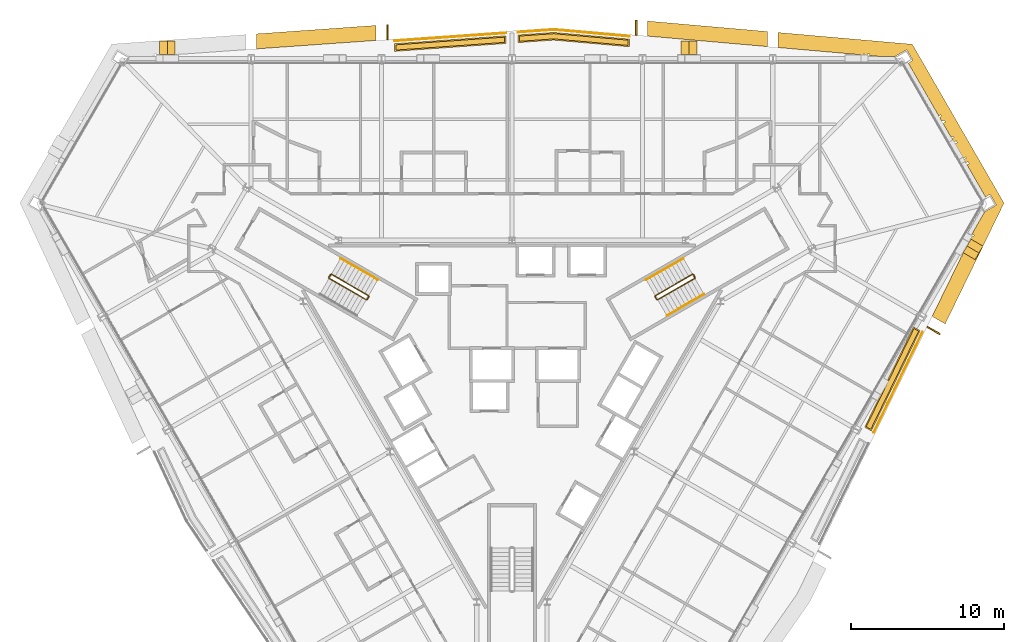
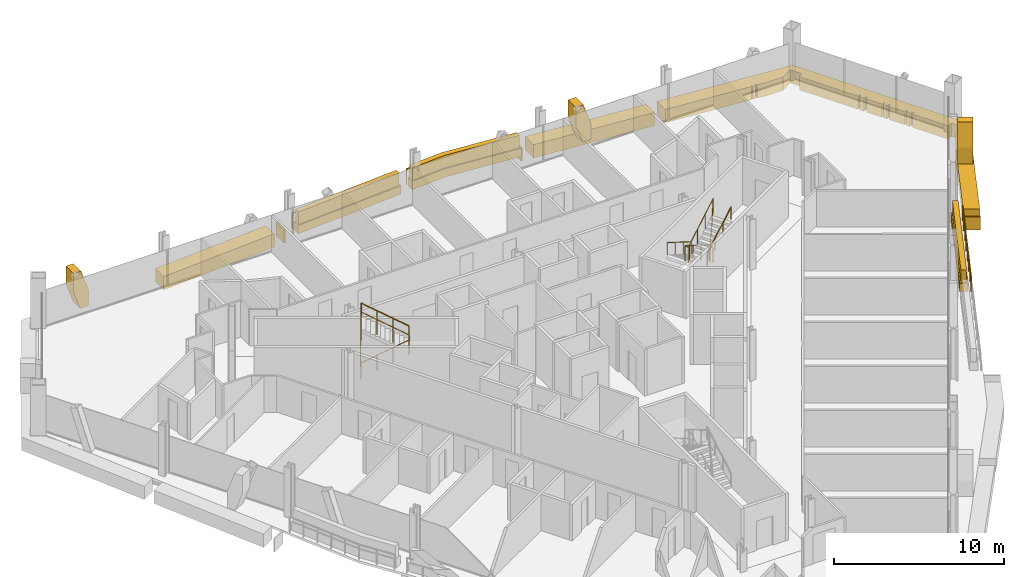
# One storey, part 17 of 17: 15 coverings, 8 railings.
"""IFC4 building model written with IfcOpenShell, lengths in metres."""

import ifcopenshell
import ifcopenshell.guid

model = None  # the IFC model being written
_history = None  # IfcOwnerHistory: only IFC2X3 demands one
_inside = {}  # id of a spatial element -> (the spatial element, [elements in it])
_under = {}  # id of a project, library or spatial element -> (it, [spatial elements below it])
_declared = {}  # id of a project -> (the project, [libraries it declares])
_typed = {}  # id of a type object -> (the type object, [elements of that type])
_made_of = {}  # id of a material, layer set ... -> (it, [elements and type objects made of it])


def new_model(schema):
    """Start an empty IFC model of exactly this schema.

    Asked for "IFC4X3", IfcOpenShell would pick the latest addendum, in which some entities
    have other attributes; the version numbers below select the first issue.
    IFC2X3 requires an IfcOwnerHistory on every rooted entity: one is made here for all.
    """
    global model, _history
    if schema == "IFC4X3":
        model = ifcopenshell.file(schema_version=(4, 3, 0, 0))
    else:
        model = ifcopenshell.file(schema=schema)
    _inside.clear()
    _under.clear()
    _declared.clear()
    _typed.clear()
    _made_of.clear()
    _history = None
    if model.schema == "IFC2X3":
        org = make("IfcOrganization", Name="unknown")
        user = make(
            "IfcPersonAndOrganization",
            ThePerson=make("IfcPerson", FamilyName="unknown"),
            TheOrganization=org,
        )
        app = make(
            "IfcApplication",
            ApplicationDeveloper=org,
            Version="unknown",
            ApplicationFullName="unknown",
            ApplicationIdentifier="unknown",
        )
        _history = make(
            "IfcOwnerHistory",
            OwningUser=user,
            OwningApplication=app,
            ChangeAction="ADDED",
            CreationDate=0,
        )
    return model


def make(cls, **values):
    """One entity of the class cls with the attributes given. An attribute that is None is left unset."""
    return model.create_entity(
        cls, **{name: value for name, value in values.items() if value is not None}
    )


def rooted(cls, **values):
    """An entity with a GlobalId (a new one), such as an element, a storey or a relation."""
    return make(cls, GlobalId=ifcopenshell.guid.new(), OwnerHistory=_history, **values)


def si_unit(unit_type, name, prefix=None):
    """IfcSIUnit, for example si_unit("LENGTHUNIT", "METRE", prefix="MILLI")."""
    return make("IfcSIUnit", UnitType=unit_type, Prefix=prefix, Name=name)


def assignment(units):
    """IfcUnitAssignment: the units of a project."""
    return None if units is None else make("IfcUnitAssignment", Units=units)


def point(xyz):
    """IfcCartesianPoint."""
    return None if xyz is None else make("IfcCartesianPoint", Coordinates=xyz)


def direction(xyz):
    """IfcDirection."""
    return None if xyz is None else make("IfcDirection", DirectionRatios=xyz)


def frame(location, z_axis=None, x_axis=None):
    """IfcAxis2Placement3D, a coordinate frame: its origin and axes. An axis left out is left unset."""
    return make(
        "IfcAxis2Placement3D",
        Location=point(location),
        Axis=direction(z_axis),
        RefDirection=direction(x_axis),
    )


def frame_2d(location, x_axis=None):
    """IfcAxis2Placement2D, a coordinate frame in the plane: its origin and x axis."""
    return make(
        "IfcAxis2Placement2D", Location=point(location), RefDirection=direction(x_axis)
    )


def origin():
    """The frame at (0, 0, 0) with its axes left unset."""
    return frame((0.0, 0.0, 0.0))


def origin_2d():
    """The frame at (0, 0) in the plane with its x axis left unset."""
    return frame_2d((0.0, 0.0))


def place(relative_to, where):
    """IfcLocalPlacement: puts the frame where relative to a parent placement (None: the world)."""
    return make(
        "IfcLocalPlacement", PlacementRelTo=relative_to, RelativePlacement=where
    )


def context(
    kind, dimensions, precision=None, world=None, true_north=None, identifier=None
):
    """IfcGeometricRepresentationContext, for example the 3D "Model" context."""
    return make(
        "IfcGeometricRepresentationContext",
        ContextIdentifier=identifier,
        ContextType=kind,
        CoordinateSpaceDimension=dimensions,
        Precision=precision,
        WorldCoordinateSystem=world,
        TrueNorth=true_north,
    )


def subcontext(parent, identifier, kind, view, scale=None):
    """IfcGeometricRepresentationSubContext, for example "Body" below "Model"."""
    return make(
        "IfcGeometricRepresentationSubContext",
        ContextIdentifier=identifier,
        ContextType=kind,
        ParentContext=parent,
        TargetScale=scale,
        TargetView=view,
    )


def project(units=None, contexts=None):
    """IfcProject with its units and contexts."""
    return rooted(
        "IfcProject",
        Name="project",
        RepresentationContexts=contexts,
        UnitsInContext=assignment(units),
    )


def spatial(cls, under=None, at=None, **own):
    """A site, building, storey or space (cls), placed at a placement, below another one or the project."""
    s = rooted(cls, ObjectPlacement=at, **own)
    if under is not None:
        _under.setdefault(under.id(), (under, []))[1].append(s)
    return s


def polyline(points):
    """IfcPolyline through the points."""
    return make("IfcPolyline", Points=[point(p) for p in points])


def profile(cls, at=None, kind="AREA", **sizes):
    """A parametric profile (cls). Its sizes go by their IFC names, for example OverallWidth=200.0."""
    return make(cls, ProfileType=kind, Position=at, **sizes)


def circle(**sizes):
    """IfcCircleProfileDef."""
    return profile("IfcCircleProfileDef", **sizes)


def outline(outer, holes=None, kind="AREA"):
    """IfcArbitraryClosedProfileDef: a profile drawn as a closed curve; with holes, ...WithVoids."""
    if holes is None:
        return make("IfcArbitraryClosedProfileDef", ProfileType=kind, OuterCurve=outer)
    return make(
        "IfcArbitraryProfileDefWithVoids",
        ProfileType=kind,
        OuterCurve=outer,
        InnerCurves=holes,
    )


def extrude(swept, where, along, depth):
    """IfcExtrudedAreaSolid: the profile swept, set in the frame where, extruded along a direction by depth."""
    return make(
        "IfcExtrudedAreaSolid",
        SweptArea=swept,
        Position=where,
        ExtrudedDirection=direction(along),
        Depth=depth,
    )


def shape(context_of_items, identifier, shape_type, items):
    """IfcShapeRepresentation: the items that make up one representation, for example the "Body"."""
    return make(
        "IfcShapeRepresentation",
        ContextOfItems=context_of_items,
        RepresentationIdentifier=identifier,
        RepresentationType=shape_type,
        Items=items,
    )


def material(Name=None, Category=None):
    """IfcMaterial."""
    return make("IfcMaterial", Name=Name, Category=Category)


def layer(
    of_material, thickness, ventilated=None, Name=None, Category=None, Priority=None
):
    """IfcMaterialLayer: one layer of a wall or slab, of a material (None: an air gap)."""
    return make(
        "IfcMaterialLayer",
        Material=of_material,
        LayerThickness=thickness,
        IsVentilated=ventilated,
        Name=Name,
        Category=Category,
        Priority=Priority,
    )


def layer_set(layers, Name=None):
    """IfcMaterialLayerSet."""
    return make("IfcMaterialLayerSet", MaterialLayers=layers, LayerSetName=Name)


def made_of(thing, what):
    """Note that an element or type object is made of a material, layer set ...; save() writes the relation."""
    if what is not None:
        _made_of.setdefault(what.id(), (what, []))[1].append(thing)
    return thing


def type_object(cls, material=None, **own):
    """A type object (cls), such as IfcWallType, which elements share."""
    return made_of(rooted(cls, **own), material)


def element(
    cls,
    number,
    at=None,
    inside=None,
    cuts=None,
    type_object=None,
    material=None,
    context=None,
    identifier="Body",
    shape_type=None,
    held_by="IfcProductDefinitionShape",
    body=None,
    shapes=None,
    **own,
):
    """One element of the class cls, such as IfcWall. Its Tag is "e" and its number.

    at: its placement. inside: the storey or other place that contains it. cuts: it is an
    opening in that element (IfcRelVoidsElement). A single representation is given by context,
    identifier, shape_type and body (its items); several are given by shapes. held_by: the class
    of the entity that holds the representations. save() writes the other relations.
    """
    e = rooted(cls, Tag="e%d" % number, ObjectPlacement=at, **own)
    if body is not None:
        shapes = [shape(context, identifier, shape_type, body)]
    if shapes is not None:
        e.Representation = make(held_by, Representations=shapes)
    if inside is not None:
        _inside.setdefault(inside.id(), (inside, []))[1].append(e)
    if cuts is not None:
        rooted(
            "IfcRelVoidsElement", RelatingBuildingElement=cuts, RelatedOpeningElement=e
        )
    if type_object is not None:
        _typed.setdefault(type_object.id(), (type_object, []))[1].append(e)
    return made_of(e, material)


def aggregate(whole, parts):
    """IfcRelAggregates: a whole, such as a stair, and the parts it consists of."""
    return rooted("IfcRelAggregates", RelatingObject=whole, RelatedObjects=parts)


def save(model, path):
    """Write the relations noted so far, then the file.

    IfcRelAggregates (storeys below a building ...), IfcRelContainedInSpatialStructure (elements
    in a storey), IfcRelDefinesByType, IfcRelAssociatesMaterial and IfcRelDeclares: one each for
    every whole, place, type object, material and project.
    """
    for whole, parts in _under.values():
        aggregate(whole, parts)
    for where, things in _inside.values():
        rooted(
            "IfcRelContainedInSpatialStructure",
            RelatedElements=things,
            RelatingStructure=where,
        )
    for kind, things in _typed.values():
        rooted("IfcRelDefinesByType", RelatedObjects=things, RelatingType=kind)
    for what, things in _made_of.values():
        rooted("IfcRelAssociatesMaterial", RelatedObjects=things, RelatingMaterial=what)
    for by, libraries in _declared.values():
        rooted("IfcRelDeclares", RelatingContext=by, RelatedDefinitions=libraries)
    model.write(path)


model = new_model("IFC4")

# Units and contexts
model_context = context("Model", 3, precision=1e-05, world=origin(), true_north=direction((0.0, 1.0)))
body_context = subcontext(model_context, "Body", "Model", "MODEL_VIEW")
ifc_project = project(units=[si_unit("LENGTHUNIT", "METRE"), si_unit("AREAUNIT", "SQUARE_METRE"), si_unit("VOLUMEUNIT", "CUBIC_METRE"), si_unit("PLANEANGLEUNIT", "RADIAN"), si_unit("MASSUNIT", "GRAM", prefix="KILO")], contexts=[model_context])

# Site, building, storey
site_placement = place(None, origin())
site = spatial("IfcSite", under=ifc_project, at=site_placement, CompositionType="ELEMENT")
building_placement = place(site_placement, origin())
building = spatial("IfcBuilding", under=site, at=building_placement, Name="Verrane Prism Tower", CompositionType="ELEMENT")
storey_placement = place(building_placement, frame((0.0, 0.0, 51.199951171875)))
storey = spatial("IfcBuildingStorey", under=building, at=storey_placement, Name="L10", CompositionType="ELEMENT", Elevation=51.199951171875)

# Coverings
ifc_material_1 = material(Name="Planting medium in stone kerb", Category="masonry")
covering_type_1 = type_object("IfcCoveringType", Name="Planter bed 600", PredefinedType="USERDEFINED", material=ifc_material_1)
covering_1_placement = place(storey_placement, origin())
element("IfcCovering", 1, at=covering_1_placement, inside=storey, type_object=covering_type_1, Name="Loggia planter N3 L10", ObjectType="PLANTER", PredefinedType="USERDEFINED", context=body_context, shape_type="SweptSolid", body=[
    extrude(outline(polyline([(7.666015625, 22.3369140625), (2.723388671875, 22.77001953125), (0.39990234375, 22.605712890625), (0.39990234375, 22.105712890625), (2.723388671875, 22.27001953125), (7.666015625, 21.8369140625), (7.666015625, 22.3369140625)])), origin(), (0.0, 0.0, 1.0), 0.60009765625),
])
covering_2_placement = place(storey_placement, origin())
element("IfcCovering", 2, at=covering_2_placement, inside=storey, type_object=covering_type_1, Name="Loggia planter N4 L10", ObjectType="PLANTER", PredefinedType="USERDEFINED", context=body_context, shape_type="SweptSolid", body=[
    extrude(outline(polyline([(-0.39990234375, 22.549072265625), (-7.666015625, 22.034912109375), (-7.666015625, 21.534912109375), (-0.39990234375, 22.049072265625), (-0.39990234375, 22.549072265625)])), origin(), (0.0, 0.0, 1.0), 0.60009765625),
])
covering_3_placement = place(storey_placement, origin())
element("IfcCovering", 3, at=covering_3_placement, inside=storey, type_object=covering_type_1, Name="Loggia planter SE5 L10", ObjectType="PLANTER", PredefinedType="USERDEFINED", context=body_context, shape_type="SweptSolid", body=[
    extrude(outline(polyline([(23.46435546875, -3.251708984375), (26.65234375, 3.2978515625), (26.21923828125, 3.5478515625), (23.03125, -3.001708984375), (23.46435546875, -3.251708984375)])), origin(), (0.0, 0.0, 1.0), 0.60009765625),
])
ifc_material_2 = material(Name="Planted shrubs and grasses", Category="other")
covering_type_2 = type_object("IfcCoveringType", Name="Planting mass 1000", PredefinedType="USERDEFINED", material=ifc_material_2)
covering_4_placement = place(storey_placement, frame((0.0, 0.0, 0.60009765625)))
element("IfcCovering", 4, at=covering_4_placement, inside=storey, type_object=covering_type_2, Name="Loggia planting N3 L10", ObjectType="PLANTING", PredefinedType="USERDEFINED", context=body_context, shape_type="SweptSolid", body=[
    extrude(outline(polyline([(2.72265625, 22.689697265625), (0.47998046875, 22.531005859375), (0.47998046875, 22.19140625), (2.72412109375, 22.35009765625), (7.586181640625, 21.92431640625), (7.586181640625, 22.263671875), (2.72265625, 22.689697265625)])), origin(), (0.0, 0.0, 1.0), 0.89990234375),
])
covering_5_placement = place(storey_placement, frame((0.0, 0.0, 0.60009765625)))
element("IfcCovering", 5, at=covering_5_placement, inside=storey, type_object=covering_type_2, Name="Loggia planting N4 L10", ObjectType="PLANTING", PredefinedType="USERDEFINED", context=body_context, shape_type="SweptSolid", body=[
    extrude(outline(polyline([(-7.586181640625, 21.96044921875), (-7.586181640625, 21.620849609375), (-0.47998046875, 22.12353515625), (-0.47998046875, 22.463134765625), (-7.586181640625, 21.96044921875)])), origin(), (0.0, 0.0, 1.0), 0.89990234375),
])
covering_6_placement = place(storey_placement, frame((0.0, 0.0, 0.60009765625)))
element("IfcCovering", 6, at=covering_6_placement, inside=storey, type_object=covering_type_2, Name="Loggia planting SE5 L10", ObjectType="PLANTING", PredefinedType="USERDEFINED", context=body_context, shape_type="SweptSolid", body=[
    extrude(outline(polyline([(26.547607421875, 3.265869140625), (26.253662109375, 3.435791015625), (23.135986328125, -2.9697265625), (23.429931640625, -3.139404296875), (26.547607421875, 3.265869140625)])), origin(), (0.0, 0.0, 1.0), 0.89990234375),
])

# Railings
ifc_material_3 = material(Name="Steel A36 rail and posts, no infill", Category="steel")
railing_type_1 = type_object("IfcRailingType", Name="Stair guard 1100 steel rail and posts", PredefinedType="GUARDRAIL", material=ifc_material_3)
railing_1_placement = place(storey_placement, frame((11.78955078125, 6.97998046875, 0.16357421875)))
element("IfcRailing", 7, at=railing_1_placement, inside=storey, type_object=railing_type_1, Name="Stair 1 guard", PredefinedType="GUARDRAIL", context=body_context, shape_type="SweptSolid", body=[
    extrude(circle(Radius=0.02392578125, at=origin_2d()), frame((0.0, 0.0, 1.076171875), z_axis=(-0.747665513933, -0.431721881032, 0.504591415616), x_axis=(0.500049511043, -0.865996816683, 0.0)), (0.0, 0.0, 1.0), 3.2431640625),
    extrude(circle(Radius=0.02392578125, at=origin_2d()), frame((-2.4248046875, -1.400146484375, 2.71240234375), z_axis=(-0.259601060869, -0.965715946433, 0.0), x_axis=(0.965715946433, -0.259601060869, 0.0)), (0.0, 0.0, 1.0), 0.070556640625),
    extrude(circle(Radius=0.02392578125, at=origin_2d()), frame((-2.443115234375, -1.46826171875, 2.71240234375), z_axis=(0.499158860599, -0.866510491504, 0.0), x_axis=(0.866510491504, 0.499158860599, 0.0)), (0.0, 0.0, 1.0), 0.199951171875),
    extrude(circle(Radius=0.02392578125, at=origin_2d()), frame((-2.34326171875, -1.6416015625, 2.71240234375), z_axis=(0.383552647116, -0.102737316192, 0.917786691313), x_axis=(0.258736085224, 0.965948051503, 0.0)), (0.0, 0.0, 1.0), 0.17822265625),
    extrude(circle(Radius=0.02392578125, at=origin_2d()), frame((-2.27490234375, -1.659912109375, 2.8759765625), z_axis=(0.747665513933, 0.431721881032, 0.504591415616), x_axis=(-0.500049511043, 0.865996816683, 0.0)), (0.0, 0.0, 1.0), 3.2431640625),
    extrude(circle(Radius=0.02392578125, at=origin_2d()), frame((0.14990234375, -0.259765625, 4.5126953125), z_axis=(-0.022593669287, 0.066901613547, -0.997503734436), x_axis=(-0.947430582667, -0.3199613899, 0.0)), (0.0, 0.0, 1.0), 3.609130859375),
    extrude(circle(Radius=0.02392578125, at=origin_2d()), frame((0.068359375, -0.018310546875, 0.91259765625), z_axis=(0.499158860599, -0.866510491504, 0.0), x_axis=(0.866510491504, 0.499158860599, 0.0)), (0.0, 0.0, 1.0), 0.199951171875),
    extrude(circle(Radius=0.02099609375, at=origin_2d()), origin(), (0.0, 0.0, 1.0), 1.052001953125),
    extrude(circle(Radius=0.02099609375, at=origin_2d()), frame((-0.808349609375, -0.466796875, 0.54541015625)), (0.0, 0.0, 1.0), 1.052001953125),
    extrude(circle(Radius=0.02099609375, at=origin_2d()), frame((-1.616455078125, -0.933349609375, 1.091064453125)), (0.0, 0.0, 1.0), 1.052001953125),
    extrude(circle(Radius=0.02099609375, at=origin_2d()), frame((-2.4248046875, -1.400146484375, 1.636474609375)), (0.0, 0.0, 1.0), 1.052001953125),
    extrude(circle(Radius=0.02099609375, at=origin_2d()), frame((-2.443115234375, -1.46826171875, 1.636474609375)), (0.0, 0.0, 1.0), 1.052001953125),
    extrude(circle(Radius=0.02099609375, at=origin_2d()), frame((-2.34326171875, -1.6416015625, 1.636474609375)), (0.0, 0.0, 1.0), 1.052001953125),
    extrude(circle(Radius=0.02099609375, at=origin_2d()), frame((-2.27490234375, -1.659912109375, 1.800048828125)), (0.0, 0.0, 1.0), 1.052001953125),
    extrude(circle(Radius=0.02099609375, at=origin_2d()), frame((-1.466552734375, -1.193115234375, 2.345458984375)), (0.0, 0.0, 1.0), 1.052001953125),
    extrude(circle(Radius=0.02099609375, at=origin_2d()), frame((-0.658447265625, -0.7265625, 2.89111328125)), (0.0, 0.0, 1.0), 1.052001953125),
    extrude(circle(Radius=0.02099609375, at=origin_2d()), frame((0.14990234375, -0.259765625, 3.4365234375)), (0.0, 0.0, 1.0), 1.052001953125),
    extrude(circle(Radius=0.02099609375, at=origin_2d()), frame((0.12939453125, -0.199462890625, 2.53662109375)), (0.0, 0.0, 1.0), 1.052001953125),
    extrude(circle(Radius=0.02099609375, at=origin_2d()), frame((0.109130859375, -0.13916015625, 1.636474609375)), (0.0, 0.0, 1.0), 1.052001953125),
    extrude(circle(Radius=0.02099609375, at=origin_2d()), frame((0.0888671875, -0.07861328125, 0.736328125)), (0.0, 0.0, 1.0), 1.052001953125),
    extrude(circle(Radius=0.02099609375, at=origin_2d()), frame((0.068359375, -0.018310546875, -0.16357421875)), (0.0, 0.0, 1.0), 1.052001953125),
    extrude(circle(Radius=0.02099609375, at=origin_2d()), frame((0.168212890625, -0.191650390625, -0.16357421875)), (0.0, 0.0, 1.0), 1.052001953125),
])
railing_2_placement = place(storey_placement, frame((-11.939453125, 6.72021484375, 0.16357421875)))
element("IfcRailing", 8, at=railing_2_placement, inside=storey, type_object=railing_type_1, Name="Stair 2 guard", PredefinedType="GUARDRAIL", context=body_context, shape_type="SweptSolid", body=[
    extrude(circle(Radius=0.02392578125, at=origin_2d()), frame((0.0, 0.0, 1.076171875), z_axis=(0.747665513933, -0.431721881032, 0.504591415616), x_axis=(0.500049511043, 0.865996816683, 0.0)), (0.0, 0.0, 1.0), 3.2431640625),
    extrude(circle(Radius=0.02392578125, at=origin_2d()), frame((2.4248046875, -1.400146484375, 2.71240234375), z_axis=(0.965948051503, 0.258736085224, 0.0), x_axis=(-0.258736085224, 0.965948051503, 0.0)), (0.0, 0.0, 1.0), 0.07080078125),
    extrude(circle(Radius=0.02392578125, at=origin_2d()), frame((2.4931640625, -1.3818359375, 2.71240234375), z_axis=(0.499158860599, 0.866510491504, 0.0), x_axis=(-0.866510491504, 0.499158860599, 0.0)), (0.0, 0.0, 1.0), 0.199951171875),
    extrude(circle(Radius=0.02392578125, at=origin_2d()), frame((2.593017578125, -1.20849609375, 2.71240234375), z_axis=(-0.102791240646, 0.382383415203, 0.918268416436), x_axis=(-0.965715946433, -0.259601060869, 0.0)), (0.0, 0.0, 1.0), 0.17822265625),
    extrude(circle(Radius=0.02392578125, at=origin_2d()), frame((2.57470703125, -1.140380859375, 2.8759765625), z_axis=(-0.747665513933, 0.431721881032, 0.504591415616), x_axis=(-0.500049511043, -0.865996816683, 0.0)), (0.0, 0.0, 1.0), 3.2431640625),
    extrude(circle(Radius=0.02392578125, at=origin_2d()), frame((0.14990234375, 0.259765625, 4.5126953125), z_axis=(-0.046607763296, -0.053101733218, -0.99750083826), x_axis=(0.751567565678, -0.659656118156, 0.0)), (0.0, 0.0, 1.0), 3.609130859375),
    extrude(circle(Radius=0.02392578125, at=origin_2d()), frame((-0.018310546875, 0.068115234375, 0.91259765625), z_axis=(0.499158860599, 0.866510491504, 0.0), x_axis=(-0.866510491504, 0.499158860599, 0.0)), (0.0, 0.0, 1.0), 0.199951171875),
    extrude(circle(Radius=0.02099609375, at=origin_2d()), origin(), (0.0, 0.0, 1.0), 1.052001953125),
    extrude(circle(Radius=0.02099609375, at=origin_2d()), frame((0.808349609375, -0.466796875, 0.54541015625)), (0.0, 0.0, 1.0), 1.052001953125),
    extrude(circle(Radius=0.02099609375, at=origin_2d()), frame((1.616455078125, -0.933349609375, 1.091064453125)), (0.0, 0.0, 1.0), 1.052001953125),
    extrude(circle(Radius=0.02099609375, at=origin_2d()), frame((2.4248046875, -1.400146484375, 1.636474609375)), (0.0, 0.0, 1.0), 1.052001953125),
    extrude(circle(Radius=0.02099609375, at=origin_2d()), frame((2.4931640625, -1.3818359375, 1.636474609375)), (0.0, 0.0, 1.0), 1.052001953125),
    extrude(circle(Radius=0.02099609375, at=origin_2d()), frame((2.593017578125, -1.20849609375, 1.636474609375)), (0.0, 0.0, 1.0), 1.052001953125),
    extrude(circle(Radius=0.02099609375, at=origin_2d()), frame((2.57470703125, -1.140380859375, 1.800048828125)), (0.0, 0.0, 1.0), 1.052001953125),
    extrude(circle(Radius=0.02099609375, at=origin_2d()), frame((1.766357421875, -0.673583984375, 2.345458984375)), (0.0, 0.0, 1.0), 1.052001953125),
    extrude(circle(Radius=0.02099609375, at=origin_2d()), frame((0.958251953125, -0.20703125, 2.89111328125)), (0.0, 0.0, 1.0), 1.052001953125),
    extrude(circle(Radius=0.02099609375, at=origin_2d()), frame((0.14990234375, 0.259765625, 3.4365234375)), (0.0, 0.0, 1.0), 1.052001953125),
    extrude(circle(Radius=0.02099609375, at=origin_2d()), frame((0.10791015625, 0.2119140625, 2.53662109375)), (0.0, 0.0, 1.0), 1.052001953125),
    extrude(circle(Radius=0.02099609375, at=origin_2d()), frame((0.06591796875, 0.1640625, 1.636474609375)), (0.0, 0.0, 1.0), 1.052001953125),
    extrude(circle(Radius=0.02099609375, at=origin_2d()), frame((0.023681640625, 0.115966796875, 0.736328125)), (0.0, 0.0, 1.0), 1.052001953125),
    extrude(circle(Radius=0.02099609375, at=origin_2d()), frame((-0.018310546875, 0.068115234375, -0.16357421875)), (0.0, 0.0, 1.0), 1.052001953125),
    extrude(circle(Radius=0.02099609375, at=origin_2d()), frame((0.08154296875, 0.241455078125, -0.16357421875)), (0.0, 0.0, 1.0), 1.052001953125),
])
ifc_material_4 = material(Name="Steel A36 tube", Category="steel")
railing_type_2 = type_object("IfcRailingType", Name="Stair handrail 900 steel tube", PredefinedType="HANDRAIL", material=ifc_material_4)
railing_3_placement = place(storey_placement, frame((11.189453125, 8.01904296875, 0.16357421875)))
element("IfcRailing", 9, at=railing_3_placement, inside=storey, type_object=railing_type_2, Name="Stair 1 handrail", PredefinedType="HANDRAIL", context=body_context, shape_type="SweptSolid", body=[
    extrude(circle(Radius=0.02392578125, at=origin_2d()), frame((0.0, 0.0, 0.8759765625), z_axis=(-0.747689811644, -0.431660630283, 0.504607813879), x_axis=(0.49998411664, -0.866034573852, 0.0)), (0.0, 0.0, 1.0), 3.2431640625),
    extrude(circle(Radius=0.02099609375, at=origin_2d()), origin(), (0.0, 0.0, 1.0), 0.851806640625),
    extrude(circle(Radius=0.02099609375, at=origin_2d()), frame((-0.808349609375, -0.466552734375, 0.54541015625)), (0.0, 0.0, 1.0), 0.851806640625),
    extrude(circle(Radius=0.02099609375, at=origin_2d()), frame((-1.616455078125, -0.933349609375, 1.091064453125)), (0.0, 0.0, 1.0), 0.851806640625),
    extrude(circle(Radius=0.02099609375, at=origin_2d()), frame((-2.4248046875, -1.39990234375, 1.636474609375)), (0.0, 0.0, 1.0), 0.851806640625),
])
railing_4_placement = place(storey_placement, frame((10.11474609375, 4.28076171875, 1.963623046875)))
element("IfcRailing", 10, at=railing_4_placement, inside=storey, type_object=railing_type_2, Name="Stair 1 handrail", PredefinedType="HANDRAIL", context=body_context, shape_type="SweptSolid", body=[
    extrude(circle(Radius=0.02392578125, at=origin_2d()), frame((0.0, 0.0, 0.8759765625), z_axis=(0.747665513933, 0.431721881032, 0.504591415616), x_axis=(-0.500049511043, 0.865996816683, 0.0)), (0.0, 0.0, 1.0), 3.2431640625),
    extrude(circle(Radius=0.02099609375, at=origin_2d()), origin(), (0.0, 0.0, 1.0), 0.851806640625),
    extrude(circle(Radius=0.02099609375, at=origin_2d()), frame((0.808349609375, 0.466796875, 0.54541015625)), (0.0, 0.0, 1.0), 0.851806640625),
    extrude(circle(Radius=0.02099609375, at=origin_2d()), frame((1.616455078125, 0.933349609375, 1.091064453125)), (0.0, 0.0, 1.0), 0.851806640625),
    extrude(circle(Radius=0.02099609375, at=origin_2d()), frame((2.4248046875, 1.400146484375, 1.636474609375)), (0.0, 0.0, 1.0), 0.851806640625),
])
railing_5_placement = place(storey_placement, frame((-8.7646484375, 6.619140625, 1.963623046875)))
element("IfcRailing", 11, at=railing_5_placement, inside=storey, type_object=railing_type_2, Name="Stair 2 handrail", PredefinedType="HANDRAIL", context=body_context, shape_type="SweptSolid", body=[
    extrude(circle(Radius=0.02392578125, at=origin_2d()), frame((0.0, 0.0, 0.8759765625), z_axis=(-0.747689811644, 0.431660630283, 0.504607813879), x_axis=(-0.49998411664, -0.866034573852, 0.0)), (0.0, 0.0, 1.0), 3.2431640625),
    extrude(circle(Radius=0.02099609375, at=origin_2d()), origin(), (0.0, 0.0, 1.0), 0.851806640625),
    extrude(circle(Radius=0.02099609375, at=origin_2d()), frame((-0.808349609375, 0.466552734375, 0.54541015625)), (0.0, 0.0, 1.0), 0.851806640625),
    extrude(circle(Radius=0.02099609375, at=origin_2d()), frame((-1.616455078125, 0.933349609375, 1.091064453125)), (0.0, 0.0, 1.0), 0.851806640625),
    extrude(circle(Radius=0.02099609375, at=origin_2d()), frame((-2.4248046875, 1.39990234375, 1.636474609375)), (0.0, 0.0, 1.0), 0.851806640625),
])

# Coverings
ifc_material_5 = material(Name="Warm limestone cladding", Category="masonry")
ifc_layer_1 = layer(ifc_material_5, 0.89990234375)
ifc_layer_set_1 = layer_set([ifc_layer_1], Name="Stone brace fin 900")
covering_type_3 = type_object("IfcCoveringType", Name="Stone brace fin 900", PredefinedType="CLADDING", material=ifc_layer_set_1)
covering_7_placement = place(storey_placement, frame((12.067138671875, 21.77392578125, 0.0), z_axis=(0.0, 0.0, 1.0), x_axis=(-1.0, 0.0, 0.0)))
element("IfcCovering", 12, at=covering_7_placement, inside=storey, type_object=covering_type_3, Name="Stone brace fin N2 L10", PredefinedType="CLADDING", context=body_context, shape_type="SweptSolid", body=[
    extrude(outline(polyline([(1.015869140625, 2.650146484375), (0.501708984375, 2.650146484375), (0.0, 1.1640625), (0.0, 0.0), (0.556884765625, 0.0), (1.015869140625, 1.359130859375), (1.015869140625, 2.650146484375)])), frame((0.0, 0.449951171875, 0.0), z_axis=(0.0, -1.0, 0.0), x_axis=(1.0, 0.0, 0.0)), (0.0, 0.0, 1.0), 0.89990234375),
])
covering_8_placement = place(storey_placement, frame((-21.99853515625, 21.77392578125, 0.0), z_axis=(0.0, 0.0, 1.0), x_axis=(-1.0, 0.0, 0.0)))
element("IfcCovering", 13, at=covering_8_placement, inside=storey, type_object=covering_type_3, Name="Stone brace fin N6 L10", PredefinedType="CLADDING", context=body_context, shape_type="SweptSolid", body=[
    extrude(outline(polyline([(1.01708984375, 2.650146484375), (0.5029296875, 2.650146484375), (0.0, 1.162353515625), (0.0, 0.0), (0.55712890625, 0.0), (1.01708984375, 1.36083984375), (1.01708984375, 2.650146484375)])), frame((0.0, 0.449951171875, 0.0), z_axis=(0.0, -1.0, 0.0), x_axis=(1.0, 0.0, 0.0)), (0.0, 0.0, 1.0), 0.89990234375),
])
covering_9_placement = place(storey_placement, frame((29.853759765625, 8.165771484375, 0.0), z_axis=(0.0, 0.0, 1.0), x_axis=(0.500505763141, 0.86573320432, 0.0)))
element("IfcCovering", 14, at=covering_9_placement, inside=storey, type_object=covering_type_3, Name="Stone brace fin SE6 L10", PredefinedType="CLADDING", context=body_context, shape_type="SweptSolid", body=[
    extrude(outline(polyline([(1.01611328125, 2.650146484375), (0.502197265625, 2.650146484375), (0.0, 1.16357421875), (0.0, 0.0), (0.556884765625, 0.0), (1.01611328125, 1.359375), (1.01611328125, 2.650146484375)])), frame((0.0, 0.449951171875, 0.0), z_axis=(0.0, -1.0, 0.0), x_axis=(1.0, 0.0, 0.0)), (0.0, 0.0, 1.0), 0.89990234375),
])
ifc_material_6 = material(Name="Warm limestone cladding", Category="masonry")
ifc_layer_2 = layer(ifc_material_6, 0.449951171875)
ifc_layer_set_2 = layer_set([ifc_layer_2], Name="Stone spandrel band 450")
covering_type_4 = type_object("IfcCoveringType", Name="Stone spandrel band 450", PredefinedType="CLADDING", material=ifc_layer_set_2)
covering_10_placement = place(storey_placement, frame((0.0, 0.0, -0.949951171875)))
element("IfcCovering", 15, at=covering_10_placement, inside=storey, type_object=covering_type_4, Name="Stone spandrel band L10 part 2", PredefinedType="CLADDING", context=body_context, shape_type="SweptSolid", body=[
    extrude(outline(polyline([(17.382080078125, 21.78564453125), (22.94287109375, 21.29833984375), (22.94287109375, 21.3701171875), (23.015625, 21.3701171875), (23.015625, 21.2919921875), (23.2158203125, 21.2744140625), (23.2158203125, 21.3701171875), (23.33154296875, 21.3701171875), (23.33154296875, 21.26416015625), (24.026611328125, 21.203369140625), (25.02099609375, 21.203369140625), (25.775634765625, 21.63916015625), (26.15576171875, 20.98095703125), (26.136474609375, 20.9697265625), (26.08642578125, 20.886474609375), (25.877685546875, 20.76611328125), (27.8857421875, 17.2880859375), (27.98779296875, 17.385986328125), (28.04931640625, 17.32177734375), (27.931396484375, 17.208984375), (28.074462890625, 16.96142578125), (28.218994140625, 17.044921875), (28.2939453125, 16.9150390625), (28.1494140625, 16.83154296875), (28.681396484375, 15.91015625), (28.82568359375, 15.993408203125), (28.870849609375, 15.9150390625), (28.7265625, 15.831787109375), (28.856201171875, 15.607421875), (29.000244140625, 15.6904296875), (29.0751953125, 15.560791015625), (28.93115234375, 15.4775390625), (29.463134765625, 14.555908203125), (29.607177734375, 14.638916015625), (29.652099609375, 14.560791015625), (29.50830078125, 14.477783203125), (29.637939453125, 14.25341796875), (29.78173828125, 14.336181640625), (29.856689453125, 14.206298828125), (29.712890625, 14.12353515625), (30.92236328125, 12.028564453125), (31.12939453125, 12.148193359375), (31.226806640625, 12.148193359375), (31.24560546875, 12.1591796875), (31.625732421875, 11.5009765625), (30.87255859375, 11.06591796875), (30.194091796875, 9.89111328125), (30.04833984375, 9.591552734375), (30.170654296875, 9.52099609375), (30.112548828125, 9.420654296875), (29.99755859375, 9.4873046875), (29.909912109375, 9.306884765625), (30.012451171875, 9.24755859375), (29.97607421875, 9.1845703125), (29.8779296875, 9.2412109375), (29.514892578125, 8.495361328125), (29.56201171875, 8.468017578125), (29.50390625, 8.367919921875), (29.464111328125, 8.39111328125), (29.36962890625, 8.197265625), (29.3955078125, 8.1806640625), (29.35498046875, 8.1181640625), (29.3369140625, 8.1298828125), (27.4384765625, 4.2294921875), (28.28759765625, 3.7392578125), (32.128173828125, 11.629638671875), (26.140869140625, 22.0), (17.382080078125, 22.767333984375), (17.382080078125, 21.78564453125)])), origin(), (0.0, 0.0, 1.0), 0.949951171875),
])
covering_11_placement = place(storey_placement, frame((0.0, 0.0, -0.949951171875)))
element("IfcCovering", 16, at=covering_11_placement, inside=storey, type_object=covering_type_4, Name="Stone spandrel band L10 part 8", PredefinedType="CLADDING", context=body_context, shape_type="SweptSolid", body=[
    extrude(outline(polyline([(16.68212890625, 22.828857421875), (8.8662109375, 23.513671875), (8.8662109375, 22.531982421875), (16.68212890625, 21.846923828125), (16.68212890625, 22.828857421875)])), origin(), (0.0, 0.0, 1.0), 0.949951171875),
])
covering_12_placement = place(storey_placement, frame((0.0, 0.0, -0.949951171875)))
element("IfcCovering", 17, at=covering_12_placement, inside=storey, type_object=covering_type_4, Name="Stone spandrel band L10 part 9", PredefinedType="CLADDING", context=body_context, shape_type="SweptSolid", body=[
    extrude(outline(polyline([(-16.68212890625, 21.697265625), (-8.8662109375, 22.25), (-8.8662109375, 23.230712890625), (-16.68212890625, 22.677734375), (-16.68212890625, 21.697265625)])), origin(), (0.0, 0.0, 1.0), 0.949951171875),
])
covering_13_placement = place(storey_placement, frame((0.0, 0.0, -0.949951171875)))
element("IfcCovering", 18, at=covering_13_placement, inside=storey, type_object=covering_type_4, Name="Stone spandrel band L10 part 13", PredefinedType="CLADDING", context=body_context, shape_type="SweptSolid", body=[
    extrude(outline(polyline([(27.08740234375, 3.508544921875), (27.936767578125, 3.018310546875), (27.98046875, 3.1083984375), (27.13134765625, 3.5986328125), (27.08740234375, 3.508544921875)])), origin(), (0.0, 0.0, 1.0), 0.949951171875),
])
covering_14_placement = place(storey_placement, frame((0.0, 0.0, -0.949951171875)))
element("IfcCovering", 19, at=covering_14_placement, inside=storey, type_object=covering_type_4, Name="Stone spandrel band L10 part 14", PredefinedType="CLADDING", context=body_context, shape_type="SweptSolid", body=[
    extrude(outline(polyline([(8.066162109375, 23.583740234375), (8.066162109375, 22.60205078125), (8.166015625, 22.59326171875), (8.166015625, 23.5751953125), (8.066162109375, 23.583740234375)])), origin(), (0.0, 0.0, 1.0), 0.949951171875),
])
covering_15_placement = place(storey_placement, frame((0.0, 0.0, -0.949951171875)))
element("IfcCovering", 20, at=covering_15_placement, inside=storey, type_object=covering_type_4, Name="Stone spandrel band L10 part 15", PredefinedType="CLADDING", context=body_context, shape_type="SweptSolid", body=[
    extrude(outline(polyline([(-8.066162109375, 22.306640625), (-8.066162109375, 23.287109375), (-8.166015625, 23.280029296875), (-8.166015625, 22.299560546875), (-8.066162109375, 22.306640625)])), origin(), (0.0, 0.0, 1.0), 0.949951171875),
])

# Railings
ifc_material_7 = material(Name="Stainless steel and laminated glass", Category="steel")
railing_type_3 = type_object("IfcRailingType", Name="Terrace guard 1100", PredefinedType="GUARDRAIL", material=ifc_material_7)
railing_6_placement = place(storey_placement, frame((7.666015625, 22.516845703125, 0.0)))
element("IfcRailing", 21, at=railing_6_placement, inside=storey, type_object=railing_type_3, Name="Loggia guard N3 L10", PredefinedType="GUARDRAIL", context=body_context, shape_type="SweptSolid", body=[
    extrude(circle(Radius=0.02392578125, at=origin_2d()), frame((0.0, 0.0, 1.076171875), z_axis=(-0.996182760478, 0.08729208284, 0.0), x_axis=(-0.08729208284, -0.996182760478, 0.0)), (0.0, 0.0, 1.0), 4.961669921875),
    extrude(circle(Radius=0.02392578125, at=origin_2d()), frame((-4.942626953125, 0.43310546875, 1.076171875), z_axis=(-0.997508993354, -0.070539408693, 0.0), x_axis=(0.070539408693, -0.997508993354, 0.0)), (0.0, 0.0, 1.0), 2.329345703125),
    extrude(circle(Radius=0.02099609375, at=origin_2d()), origin(), (0.0, 0.0, 1.0), 1.052001953125),
    extrude(circle(Radius=0.02099609375, at=origin_2d()), frame((-0.988525390625, 0.086669921875, 0.0)), (0.0, 0.0, 1.0), 1.052001953125),
    extrude(circle(Radius=0.02099609375, at=origin_2d()), frame((-1.97705078125, 0.17333984375, 0.0)), (0.0, 0.0, 1.0), 1.052001953125),
    extrude(circle(Radius=0.02099609375, at=origin_2d()), frame((-2.965576171875, 0.259765625, 0.0)), (0.0, 0.0, 1.0), 1.052001953125),
    extrude(circle(Radius=0.02099609375, at=origin_2d()), frame((-3.9541015625, 0.346435546875, 0.0)), (0.0, 0.0, 1.0), 1.052001953125),
    extrude(circle(Radius=0.02099609375, at=origin_2d()), frame((-4.942626953125, 0.43310546875, 0.0)), (0.0, 0.0, 1.0), 1.052001953125),
    extrude(circle(Radius=0.02099609375, at=origin_2d()), frame((-6.1044921875, 0.35107421875, 0.0)), (0.0, 0.0, 1.0), 1.052001953125),
    extrude(circle(Radius=0.02099609375, at=origin_2d()), frame((-7.26611328125, 0.268798828125, 0.0)), (0.0, 0.0, 1.0), 1.052001953125),
])
railing_7_placement = place(storey_placement, frame((-0.39990234375, 22.72900390625, 0.0)))
element("IfcRailing", 22, at=railing_7_placement, inside=storey, type_object=railing_type_3, Name="Loggia guard N4 L10", PredefinedType="GUARDRAIL", context=body_context, shape_type="SweptSolid", body=[
    extrude(circle(Radius=0.02392578125, at=origin_2d()), frame((0.0, 0.0, 1.076171875), z_axis=(-0.997508136137, -0.070551529688, 0.0), x_axis=(0.070551529688, -0.997508136137, 0.0)), (0.0, 0.0, 1.0), 7.2841796875),
    extrude(circle(Radius=0.02099609375, at=origin_2d()), origin(), (0.0, 0.0, 1.0), 1.052001953125),
    extrude(circle(Radius=0.02099609375, at=origin_2d()), frame((-1.0380859375, -0.073486328125, 0.0)), (0.0, 0.0, 1.0), 1.052001953125),
    extrude(circle(Radius=0.02099609375, at=origin_2d()), frame((-2.075927734375, -0.146728515625, 0.0)), (0.0, 0.0, 1.0), 1.052001953125),
    extrude(circle(Radius=0.02099609375, at=origin_2d()), frame((-3.114013671875, -0.22021484375, 0.0)), (0.0, 0.0, 1.0), 1.052001953125),
    extrude(circle(Radius=0.02099609375, at=origin_2d()), frame((-4.152099609375, -0.293701171875, 0.0)), (0.0, 0.0, 1.0), 1.052001953125),
    extrude(circle(Radius=0.02099609375, at=origin_2d()), frame((-5.190185546875, -0.3671875, 0.0)), (0.0, 0.0, 1.0), 1.052001953125),
    extrude(circle(Radius=0.02099609375, at=origin_2d()), frame((-6.22802734375, -0.4404296875, 0.0)), (0.0, 0.0, 1.0), 1.052001953125),
    extrude(circle(Radius=0.02099609375, at=origin_2d()), frame((-7.26611328125, -0.513916015625, 0.0)), (0.0, 0.0, 1.0), 1.052001953125),
])
railing_8_placement = place(storey_placement, frame((23.6201171875, -3.341796875, 0.0)))
element("IfcRailing", 23, at=railing_8_placement, inside=storey, type_object=railing_type_3, Name="Loggia guard SE5 L10", PredefinedType="GUARDRAIL", context=body_context, shape_type="SweptSolid", body=[
    extrude(circle(Radius=0.02392578125, at=origin_2d()), frame((0.0, 0.0, 1.076171875), z_axis=(0.437642967361, 0.899148838135, 0.0), x_axis=(-0.899148838135, 0.437642967361, 0.0)), (0.0, 0.0, 1.0), 7.284423828125),
    extrude(circle(Radius=0.02099609375, at=origin_2d()), origin(), (0.0, 0.0, 1.0), 1.052001953125),
    extrude(circle(Radius=0.02099609375, at=origin_2d()), frame((0.455322265625, 0.935791015625, 0.0)), (0.0, 0.0, 1.0), 1.052001953125),
    extrude(circle(Radius=0.02099609375, at=origin_2d()), frame((0.910888671875, 1.871337890625, 0.0)), (0.0, 0.0, 1.0), 1.052001953125),
    extrude(circle(Radius=0.02099609375, at=origin_2d()), frame((1.3662109375, 2.80712890625, 0.0)), (0.0, 0.0, 1.0), 1.052001953125),
    extrude(circle(Radius=0.02099609375, at=origin_2d()), frame((1.82177734375, 3.74267578125, 0.0)), (0.0, 0.0, 1.0), 1.052001953125),
    extrude(circle(Radius=0.02099609375, at=origin_2d()), frame((2.277099609375, 4.678466796875, 0.0)), (0.0, 0.0, 1.0), 1.052001953125),
    extrude(circle(Radius=0.02099609375, at=origin_2d()), frame((2.732666015625, 5.614013671875, 0.0)), (0.0, 0.0, 1.0), 1.052001953125),
    extrude(circle(Radius=0.02099609375, at=origin_2d()), frame((3.18798828125, 6.5498046875, 0.0)), (0.0, 0.0, 1.0), 1.052001953125),
])

save(model, "model.ifc")
